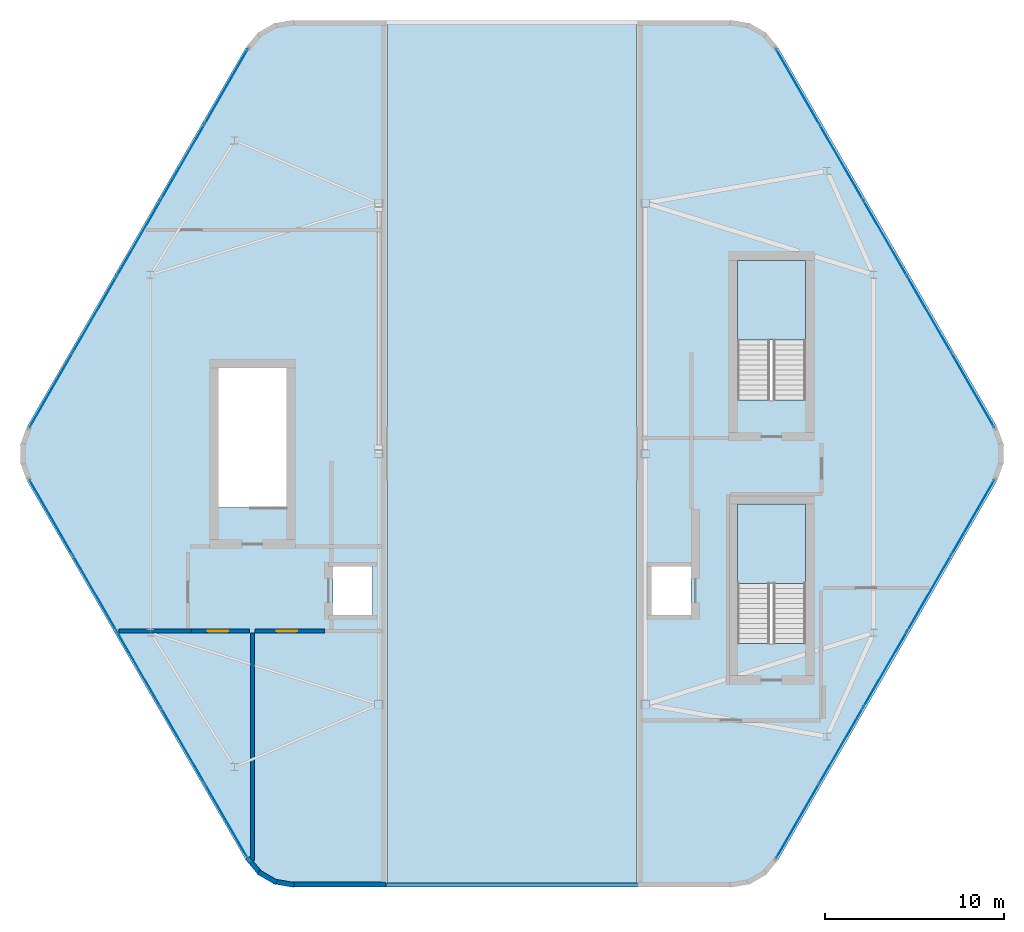
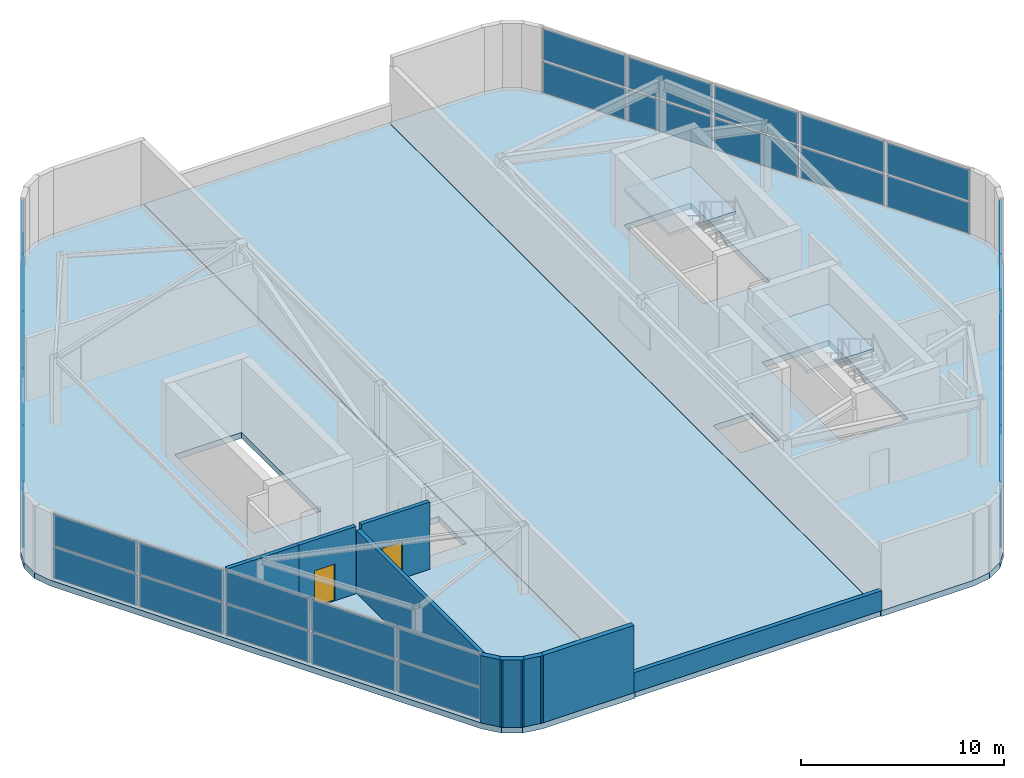
# One storey, part 11 of 14: 40 plates, 9 walls, 5 slabs, 2 doors, 2 openings, 6 elements without a shape of their own.
"""IFC4 building model written with IfcOpenShell, lengths in metres."""

from ifc_helpers import new_model, si_unit, direction, frame, frame_2d, origin, origin_2d, place, context, subcontext, project, spatial, polyline, rectangle, outline, extrude, material, layer, layer_set, type_object, element, fill, aggregate, save


model = new_model("IFC4")

# Units and contexts
model_context = context("Model", 3, precision=1e-05, world=origin(), true_north=direction((0.0, 1.0)))
body_context = subcontext(model_context, "Body", "Model", "MODEL_VIEW")
ifc_project = project(units=[si_unit("LENGTHUNIT", "METRE"), si_unit("AREAUNIT", "SQUARE_METRE"), si_unit("VOLUMEUNIT", "CUBIC_METRE"), si_unit("PLANEANGLEUNIT", "RADIAN"), si_unit("MASSUNIT", "GRAM", prefix="KILO")], contexts=[model_context])

# Site, building, storey
site_placement = place(None, origin())
site = spatial("IfcSite", under=ifc_project, at=site_placement, CompositionType="ELEMENT")
building_placement = place(site_placement, origin())
building = spatial("IfcBuilding", under=site, at=building_placement, Name="Zuhravey Tower", CompositionType="ELEMENT")
storey_placement = place(building_placement, frame((0.0, 0.0, 379.0)))
storey = spatial("IfcBuildingStorey", under=building, at=storey_placement, Name="L96", CompositionType="ELEMENT", Elevation=379.0)

# Slab
ifc_material_1 = material(Name="Concrete C40/50", Category="concrete")
ifc_layer_1 = layer(ifc_material_1, 0.300048828125)
ifc_layer_set_1 = layer_set([ifc_layer_1], Name="Concrete C40/50")
slab_type_1 = type_object("IfcSlabType", Name="Crown Crest Flat Roof Slab 300", PredefinedType="ROOF", material=ifc_layer_set_1)
slab_1_placement = place(storey_placement, frame((0.0, 0.0, -0.300048828125)))
element("IfcSlab", 1, at=slab_1_placement, inside=storey, type_object=slab_type_1, Name="L96 Wind-Portal Arch Bridge Roof Cap RS30", PredefinedType="ROOF", context=body_context, shape_type="SweptSolid", body=[
    extrude(outline(polyline([(42.97998046875, 56.214111328125), (42.97998046875, 7.785888671875), (29.02001953125, 7.785888671875), (29.02001953125, 56.214111328125), (42.97998046875, 56.214111328125)])), origin(), (0.0, 0.0, 1.0), 0.300048828125),
])

# Curtain wall, plates
ifc_material_2 = material(Name="Thermally broken anodised aluminium", Category="aluminium")
curtain_wall_type = type_object("IfcCurtainWallType", Name="Split-Top Crown Screened Curtain Wall CW6", PredefinedType="NOTDEFINED", material=ifc_material_2)
curtain_wall_1_placement = place(storey_placement, origin())
curtain_wall_1 = element("IfcCurtainWall", 2, at=curtain_wall_1_placement, inside=storey, type_object=curtain_wall_type, Name="L96 CW6 CW6-L96-WEST-04", PredefinedType="NOTDEFINED")
ifc_material_3 = material(Name="Bronze-anodised perforated girih aluminium", Category="aluminium")
ifc_layer_2 = layer(ifc_material_3, 0.035888671875)
ifc_layer_set_2 = layer_set([ifc_layer_2], Name="Bronze-anodised perforated girih aluminium")
plate_type = type_object("IfcPlateType", Name="Girih Perforated Crown Panel", PredefinedType="CURTAIN_PANEL", material=ifc_layer_set_2)
plate_1_placement = place(storey_placement, frame((20.04443359375, 11.487548828125, 0.10009765625), z_axis=(0.0, 0.0, 1.0), x_axis=(-0.499997124838, 0.866027063754, 0.0)))
plate_1 = element("IfcPlate", 3, at=plate_1_placement, type_object=plate_type, Name="CW6 panel 1.1", PredefinedType="CURTAIN_PANEL", context=body_context, shape_type="SweptSolid", body=[
    extrude(rectangle(XDim=4.755859375, YDim=0.035888671875, at=origin_2d()), origin(), (0.0, 0.0, 1.0), 1.875),
])
plate_2_placement = place(storey_placement, frame((20.04443359375, 11.487548828125, 2.074951171875), z_axis=(0.0, 0.0, 1.0), x_axis=(-0.499997124838, 0.866027063754, 0.0)))
plate_2 = element("IfcPlate", 4, at=plate_2_placement, type_object=plate_type, Name="CW6 panel 1.2", PredefinedType="CURTAIN_PANEL", context=body_context, shape_type="SweptSolid", body=[
    extrude(rectangle(XDim=4.755859375, YDim=0.035888671875, at=origin_2d()), origin(), (0.0, 0.0, 1.0), 1.875),
])
plate_3_placement = place(storey_placement, frame((17.604248046875, 15.71435546875, 0.10009765625), z_axis=(0.0, 0.0, 1.0), x_axis=(-0.499997124838, 0.866027063754, 0.0)))
plate_3 = element("IfcPlate", 5, at=plate_3_placement, type_object=plate_type, Name="CW6 panel 2.1", PredefinedType="CURTAIN_PANEL", context=body_context, shape_type="SweptSolid", body=[
    extrude(rectangle(XDim=4.805908203125, YDim=0.035888671875, at=origin_2d()), origin(), (0.0, 0.0, 1.0), 1.875),
])
plate_4_placement = place(storey_placement, frame((17.604248046875, 15.71435546875, 2.074951171875), z_axis=(0.0, 0.0, 1.0), x_axis=(-0.499997124838, 0.866027063754, 0.0)))
plate_4 = element("IfcPlate", 6, at=plate_4_placement, type_object=plate_type, Name="CW6 panel 2.2", PredefinedType="CURTAIN_PANEL", context=body_context, shape_type="SweptSolid", body=[
    extrude(rectangle(XDim=4.805908203125, YDim=0.035888671875, at=origin_2d()), origin(), (0.0, 0.0, 1.0), 1.875),
])
plate_5_placement = place(storey_placement, frame((15.1513671875, 19.962890625, 0.10009765625), z_axis=(0.0, 0.0, 1.0), x_axis=(-0.499997124838, 0.866027063754, 0.0)))
plate_5 = element("IfcPlate", 7, at=plate_5_placement, type_object=plate_type, Name="CW6 panel 3.1", PredefinedType="CURTAIN_PANEL", context=body_context, shape_type="SweptSolid", body=[
    extrude(rectangle(XDim=4.805908203125, YDim=0.035888671875, at=origin_2d()), origin(), (0.0, 0.0, 1.0), 1.875),
])
plate_6_placement = place(storey_placement, frame((15.1513671875, 19.962890625, 2.074951171875), z_axis=(0.0, 0.0, 1.0), x_axis=(-0.499997124838, 0.866027063754, 0.0)))
plate_6 = element("IfcPlate", 8, at=plate_6_placement, type_object=plate_type, Name="CW6 panel 3.2", PredefinedType="CURTAIN_PANEL", context=body_context, shape_type="SweptSolid", body=[
    extrude(rectangle(XDim=4.805908203125, YDim=0.035888671875, at=origin_2d()), origin(), (0.0, 0.0, 1.0), 1.875),
])
plate_7_placement = place(storey_placement, frame((12.6982421875, 24.21142578125, 0.10009765625), z_axis=(0.0, 0.0, 1.0), x_axis=(-0.499997124838, 0.866027063754, 0.0)))
plate_7 = element("IfcPlate", 9, at=plate_7_placement, type_object=plate_type, Name="CW6 panel 4.1", PredefinedType="CURTAIN_PANEL", context=body_context, shape_type="SweptSolid", body=[
    extrude(rectangle(XDim=4.805908203125, YDim=0.035888671875, at=origin_2d()), origin(), (0.0, 0.0, 1.0), 1.875),
])
plate_8_placement = place(storey_placement, frame((12.6982421875, 24.21142578125, 2.074951171875), z_axis=(0.0, 0.0, 1.0), x_axis=(-0.499997124838, 0.866027063754, 0.0)))
plate_8 = element("IfcPlate", 10, at=plate_8_placement, type_object=plate_type, Name="CW6 panel 4.2", PredefinedType="CURTAIN_PANEL", context=body_context, shape_type="SweptSolid", body=[
    extrude(rectangle(XDim=4.805908203125, YDim=0.035888671875, at=origin_2d()), origin(), (0.0, 0.0, 1.0), 1.875),
])
plate_9_placement = place(storey_placement, frame((10.258056640625, 28.4384765625, 0.10009765625), z_axis=(0.0, 0.0, 1.0), x_axis=(-0.499997124838, 0.866027063754, 0.0)))
plate_9 = element("IfcPlate", 11, at=plate_9_placement, type_object=plate_type, Name="CW6 panel 5.1", PredefinedType="CURTAIN_PANEL", context=body_context, shape_type="SweptSolid", body=[
    extrude(rectangle(XDim=4.755859375, YDim=0.035888671875, at=origin_2d()), origin(), (0.0, 0.0, 1.0), 1.875),
])
plate_10_placement = place(storey_placement, frame((10.258056640625, 28.4384765625, 2.074951171875), z_axis=(0.0, 0.0, 1.0), x_axis=(-0.499997124838, 0.866027063754, 0.0)))
plate_10 = element("IfcPlate", 12, at=plate_10_placement, type_object=plate_type, Name="CW6 panel 5.2", PredefinedType="CURTAIN_PANEL", context=body_context, shape_type="SweptSolid", body=[
    extrude(rectangle(XDim=4.755859375, YDim=0.035888671875, at=origin_2d()), origin(), (0.0, 0.0, 1.0), 1.875),
])
aggregate(curtain_wall_1, [plate_1, plate_2, plate_3, plate_4, plate_5, plate_6, plate_7, plate_8, plate_9, plate_10])

curtain_wall_2_placement = place(storey_placement, origin())
curtain_wall_2 = element("IfcCurtainWall", 13, at=curtain_wall_2_placement, inside=storey, type_object=curtain_wall_type, Name="L96 CW6 CW6-L96-WEST-08", PredefinedType="NOTDEFINED")
plate_11_placement = place(storey_placement, frame((10.258056640625, 35.5615234375, 0.10009765625), z_axis=(0.0, 0.0, 1.0), x_axis=(0.499997124838, 0.866027063754, 0.0)))
plate_11 = element("IfcPlate", 14, at=plate_11_placement, type_object=plate_type, Name="CW6 panel 1.1", PredefinedType="CURTAIN_PANEL", context=body_context, shape_type="SweptSolid", body=[
    extrude(rectangle(XDim=4.755859375, YDim=0.035888671875, at=origin_2d()), origin(), (0.0, 0.0, 1.0), 1.875),
])
plate_12_placement = place(storey_placement, frame((10.258056640625, 35.5615234375, 2.074951171875), z_axis=(0.0, 0.0, 1.0), x_axis=(0.499997124838, 0.866027063754, 0.0)))
plate_12 = element("IfcPlate", 15, at=plate_12_placement, type_object=plate_type, Name="CW6 panel 1.2", PredefinedType="CURTAIN_PANEL", context=body_context, shape_type="SweptSolid", body=[
    extrude(rectangle(XDim=4.755859375, YDim=0.035888671875, at=origin_2d()), origin(), (0.0, 0.0, 1.0), 1.875),
])
plate_13_placement = place(storey_placement, frame((12.6982421875, 39.78857421875, 0.10009765625), z_axis=(0.0, 0.0, 1.0), x_axis=(0.499997124838, 0.866027063754, 0.0)))
plate_13 = element("IfcPlate", 16, at=plate_13_placement, type_object=plate_type, Name="CW6 panel 2.1", PredefinedType="CURTAIN_PANEL", context=body_context, shape_type="SweptSolid", body=[
    extrude(rectangle(XDim=4.805908203125, YDim=0.035888671875, at=origin_2d()), origin(), (0.0, 0.0, 1.0), 1.875),
])
plate_14_placement = place(storey_placement, frame((12.6982421875, 39.78857421875, 2.074951171875), z_axis=(0.0, 0.0, 1.0), x_axis=(0.499997124838, 0.866027063754, 0.0)))
plate_14 = element("IfcPlate", 17, at=plate_14_placement, type_object=plate_type, Name="CW6 panel 2.2", PredefinedType="CURTAIN_PANEL", context=body_context, shape_type="SweptSolid", body=[
    extrude(rectangle(XDim=4.805908203125, YDim=0.035888671875, at=origin_2d()), origin(), (0.0, 0.0, 1.0), 1.875),
])
plate_15_placement = place(storey_placement, frame((15.1513671875, 44.037109375, 0.10009765625), z_axis=(0.0, 0.0, 1.0), x_axis=(0.499997124838, 0.866027063754, 0.0)))
plate_15 = element("IfcPlate", 18, at=plate_15_placement, type_object=plate_type, Name="CW6 panel 3.1", PredefinedType="CURTAIN_PANEL", context=body_context, shape_type="SweptSolid", body=[
    extrude(rectangle(XDim=4.805908203125, YDim=0.035888671875, at=origin_2d()), origin(), (0.0, 0.0, 1.0), 1.875),
])
plate_16_placement = place(storey_placement, frame((15.1513671875, 44.037109375, 2.074951171875), z_axis=(0.0, 0.0, 1.0), x_axis=(0.499997124838, 0.866027063754, 0.0)))
plate_16 = element("IfcPlate", 19, at=plate_16_placement, type_object=plate_type, Name="CW6 panel 3.2", PredefinedType="CURTAIN_PANEL", context=body_context, shape_type="SweptSolid", body=[
    extrude(rectangle(XDim=4.805908203125, YDim=0.035888671875, at=origin_2d()), origin(), (0.0, 0.0, 1.0), 1.875),
])
plate_17_placement = place(storey_placement, frame((17.604248046875, 48.28564453125, 0.10009765625), z_axis=(0.0, 0.0, 1.0), x_axis=(0.499997124838, 0.866027063754, 0.0)))
plate_17 = element("IfcPlate", 20, at=plate_17_placement, type_object=plate_type, Name="CW6 panel 4.1", PredefinedType="CURTAIN_PANEL", context=body_context, shape_type="SweptSolid", body=[
    extrude(rectangle(XDim=4.805908203125, YDim=0.035888671875, at=origin_2d()), origin(), (0.0, 0.0, 1.0), 1.875),
])
plate_18_placement = place(storey_placement, frame((17.604248046875, 48.28564453125, 2.074951171875), z_axis=(0.0, 0.0, 1.0), x_axis=(0.499997124838, 0.866027063754, 0.0)))
plate_18 = element("IfcPlate", 21, at=plate_18_placement, type_object=plate_type, Name="CW6 panel 4.2", PredefinedType="CURTAIN_PANEL", context=body_context, shape_type="SweptSolid", body=[
    extrude(rectangle(XDim=4.805908203125, YDim=0.035888671875, at=origin_2d()), origin(), (0.0, 0.0, 1.0), 1.875),
])
plate_19_placement = place(storey_placement, frame((20.04443359375, 52.512451171875, 0.10009765625), z_axis=(0.0, 0.0, 1.0), x_axis=(0.499997124838, 0.866027063754, 0.0)))
plate_19 = element("IfcPlate", 22, at=plate_19_placement, type_object=plate_type, Name="CW6 panel 5.1", PredefinedType="CURTAIN_PANEL", context=body_context, shape_type="SweptSolid", body=[
    extrude(rectangle(XDim=4.755859375, YDim=0.035888671875, at=origin_2d()), origin(), (0.0, 0.0, 1.0), 1.875),
])
plate_20_placement = place(storey_placement, frame((20.04443359375, 52.512451171875, 2.074951171875), z_axis=(0.0, 0.0, 1.0), x_axis=(0.499997124838, 0.866027063754, 0.0)))
plate_20 = element("IfcPlate", 23, at=plate_20_placement, type_object=plate_type, Name="CW6 panel 5.2", PredefinedType="CURTAIN_PANEL", context=body_context, shape_type="SweptSolid", body=[
    extrude(rectangle(XDim=4.755859375, YDim=0.035888671875, at=origin_2d()), origin(), (0.0, 0.0, 1.0), 1.875),
])
aggregate(curtain_wall_2, [plate_11, plate_12, plate_13, plate_14, plate_15, plate_16, plate_17, plate_18, plate_19, plate_20])

curtain_wall_3_placement = place(storey_placement, origin())
curtain_wall_3 = element("IfcCurtainWall", 24, at=curtain_wall_3_placement, inside=storey, type_object=curtain_wall_type, Name="L96 CW6 CW6-L96-EAST-04", PredefinedType="NOTDEFINED")
plate_21_placement = place(storey_placement, frame((51.95556640625, 52.512451171875, 0.10009765625), z_axis=(0.0, 0.0, 1.0), x_axis=(0.499997124838, -0.866027063754, 0.0)))
plate_21 = element("IfcPlate", 25, at=plate_21_placement, type_object=plate_type, Name="CW6 panel 1.1", PredefinedType="CURTAIN_PANEL", context=body_context, shape_type="SweptSolid", body=[
    extrude(rectangle(XDim=4.755859375, YDim=0.035888671875, at=origin_2d()), origin(), (0.0, 0.0, 1.0), 1.875),
])
plate_22_placement = place(storey_placement, frame((51.95556640625, 52.512451171875, 2.074951171875), z_axis=(0.0, 0.0, 1.0), x_axis=(0.499997124838, -0.866027063754, 0.0)))
plate_22 = element("IfcPlate", 26, at=plate_22_placement, type_object=plate_type, Name="CW6 panel 1.2", PredefinedType="CURTAIN_PANEL", context=body_context, shape_type="SweptSolid", body=[
    extrude(rectangle(XDim=4.755859375, YDim=0.035888671875, at=origin_2d()), origin(), (0.0, 0.0, 1.0), 1.875),
])
plate_23_placement = place(storey_placement, frame((54.395751953125, 48.28564453125, 0.10009765625), z_axis=(0.0, 0.0, 1.0), x_axis=(0.499997124838, -0.866027063754, 0.0)))
plate_23 = element("IfcPlate", 27, at=plate_23_placement, type_object=plate_type, Name="CW6 panel 2.1", PredefinedType="CURTAIN_PANEL", context=body_context, shape_type="SweptSolid", body=[
    extrude(rectangle(XDim=4.805908203125, YDim=0.035888671875, at=origin_2d()), origin(), (0.0, 0.0, 1.0), 1.875),
])
plate_24_placement = place(storey_placement, frame((54.395751953125, 48.28564453125, 2.074951171875), z_axis=(0.0, 0.0, 1.0), x_axis=(0.499997124838, -0.866027063754, 0.0)))
plate_24 = element("IfcPlate", 28, at=plate_24_placement, type_object=plate_type, Name="CW6 panel 2.2", PredefinedType="CURTAIN_PANEL", context=body_context, shape_type="SweptSolid", body=[
    extrude(rectangle(XDim=4.805908203125, YDim=0.035888671875, at=origin_2d()), origin(), (0.0, 0.0, 1.0), 1.875),
])
plate_25_placement = place(storey_placement, frame((56.8486328125, 44.037109375, 0.10009765625), z_axis=(0.0, 0.0, 1.0), x_axis=(0.499997124838, -0.866027063754, 0.0)))
plate_25 = element("IfcPlate", 29, at=plate_25_placement, type_object=plate_type, Name="CW6 panel 3.1", PredefinedType="CURTAIN_PANEL", context=body_context, shape_type="SweptSolid", body=[
    extrude(rectangle(XDim=4.805908203125, YDim=0.035888671875, at=origin_2d()), origin(), (0.0, 0.0, 1.0), 1.875),
])
plate_26_placement = place(storey_placement, frame((56.8486328125, 44.037109375, 2.074951171875), z_axis=(0.0, 0.0, 1.0), x_axis=(0.499997124838, -0.866027063754, 0.0)))
plate_26 = element("IfcPlate", 30, at=plate_26_placement, type_object=plate_type, Name="CW6 panel 3.2", PredefinedType="CURTAIN_PANEL", context=body_context, shape_type="SweptSolid", body=[
    extrude(rectangle(XDim=4.805908203125, YDim=0.035888671875, at=origin_2d()), origin(), (0.0, 0.0, 1.0), 1.875),
])
plate_27_placement = place(storey_placement, frame((59.3017578125, 39.78857421875, 0.10009765625), z_axis=(0.0, 0.0, 1.0), x_axis=(0.499997124838, -0.866027063754, 0.0)))
plate_27 = element("IfcPlate", 31, at=plate_27_placement, type_object=plate_type, Name="CW6 panel 4.1", PredefinedType="CURTAIN_PANEL", context=body_context, shape_type="SweptSolid", body=[
    extrude(rectangle(XDim=4.805908203125, YDim=0.035888671875, at=origin_2d()), origin(), (0.0, 0.0, 1.0), 1.875),
])
plate_28_placement = place(storey_placement, frame((59.3017578125, 39.78857421875, 2.074951171875), z_axis=(0.0, 0.0, 1.0), x_axis=(0.499997124838, -0.866027063754, 0.0)))
plate_28 = element("IfcPlate", 32, at=plate_28_placement, type_object=plate_type, Name="CW6 panel 4.2", PredefinedType="CURTAIN_PANEL", context=body_context, shape_type="SweptSolid", body=[
    extrude(rectangle(XDim=4.805908203125, YDim=0.035888671875, at=origin_2d()), origin(), (0.0, 0.0, 1.0), 1.875),
])
plate_29_placement = place(storey_placement, frame((61.741943359375, 35.5615234375, 0.10009765625), z_axis=(0.0, 0.0, 1.0), x_axis=(0.499997124838, -0.866027063754, 0.0)))
plate_29 = element("IfcPlate", 33, at=plate_29_placement, type_object=plate_type, Name="CW6 panel 5.1", PredefinedType="CURTAIN_PANEL", context=body_context, shape_type="SweptSolid", body=[
    extrude(rectangle(XDim=4.755859375, YDim=0.035888671875, at=origin_2d()), origin(), (0.0, 0.0, 1.0), 1.875),
])
plate_30_placement = place(storey_placement, frame((61.741943359375, 35.5615234375, 2.074951171875), z_axis=(0.0, 0.0, 1.0), x_axis=(0.499997124838, -0.866027063754, 0.0)))
plate_30 = element("IfcPlate", 34, at=plate_30_placement, type_object=plate_type, Name="CW6 panel 5.2", PredefinedType="CURTAIN_PANEL", context=body_context, shape_type="SweptSolid", body=[
    extrude(rectangle(XDim=4.755859375, YDim=0.035888671875, at=origin_2d()), origin(), (0.0, 0.0, 1.0), 1.875),
])
aggregate(curtain_wall_3, [plate_21, plate_22, plate_23, plate_24, plate_25, plate_26, plate_27, plate_28, plate_29, plate_30])

curtain_wall_4_placement = place(storey_placement, origin())
curtain_wall_4 = element("IfcCurtainWall", 35, at=curtain_wall_4_placement, inside=storey, type_object=curtain_wall_type, Name="L96 CW6 CW6-L96-EAST-08", PredefinedType="NOTDEFINED")
plate_31_placement = place(storey_placement, frame((61.741943359375, 28.4384765625, 0.10009765625), z_axis=(0.0, 0.0, 1.0), x_axis=(-0.499997124838, -0.866027063754, 0.0)))
plate_31 = element("IfcPlate", 36, at=plate_31_placement, type_object=plate_type, Name="CW6 panel 1.1", PredefinedType="CURTAIN_PANEL", context=body_context, shape_type="SweptSolid", body=[
    extrude(rectangle(XDim=4.755859375, YDim=0.035888671875, at=origin_2d()), origin(), (0.0, 0.0, 1.0), 1.875),
])
plate_32_placement = place(storey_placement, frame((61.741943359375, 28.4384765625, 2.074951171875), z_axis=(0.0, 0.0, 1.0), x_axis=(-0.499997124838, -0.866027063754, 0.0)))
plate_32 = element("IfcPlate", 37, at=plate_32_placement, type_object=plate_type, Name="CW6 panel 1.2", PredefinedType="CURTAIN_PANEL", context=body_context, shape_type="SweptSolid", body=[
    extrude(rectangle(XDim=4.755859375, YDim=0.035888671875, at=origin_2d()), origin(), (0.0, 0.0, 1.0), 1.875),
])
plate_33_placement = place(storey_placement, frame((59.3017578125, 24.21142578125, 0.10009765625), z_axis=(0.0, 0.0, 1.0), x_axis=(-0.499997124838, -0.866027063754, 0.0)))
plate_33 = element("IfcPlate", 38, at=plate_33_placement, type_object=plate_type, Name="CW6 panel 2.1", PredefinedType="CURTAIN_PANEL", context=body_context, shape_type="SweptSolid", body=[
    extrude(rectangle(XDim=4.805908203125, YDim=0.035888671875, at=origin_2d()), origin(), (0.0, 0.0, 1.0), 1.875),
])
plate_34_placement = place(storey_placement, frame((59.3017578125, 24.21142578125, 2.074951171875), z_axis=(0.0, 0.0, 1.0), x_axis=(-0.499997124838, -0.866027063754, 0.0)))
plate_34 = element("IfcPlate", 39, at=plate_34_placement, type_object=plate_type, Name="CW6 panel 2.2", PredefinedType="CURTAIN_PANEL", context=body_context, shape_type="SweptSolid", body=[
    extrude(rectangle(XDim=4.805908203125, YDim=0.035888671875, at=origin_2d()), origin(), (0.0, 0.0, 1.0), 1.875),
])
plate_35_placement = place(storey_placement, frame((56.8486328125, 19.962890625, 0.10009765625), z_axis=(0.0, 0.0, 1.0), x_axis=(-0.499997124838, -0.866027063754, 0.0)))
plate_35 = element("IfcPlate", 40, at=plate_35_placement, type_object=plate_type, Name="CW6 panel 3.1", PredefinedType="CURTAIN_PANEL", context=body_context, shape_type="SweptSolid", body=[
    extrude(rectangle(XDim=4.805908203125, YDim=0.035888671875, at=origin_2d()), origin(), (0.0, 0.0, 1.0), 1.875),
])
plate_36_placement = place(storey_placement, frame((56.8486328125, 19.962890625, 2.074951171875), z_axis=(0.0, 0.0, 1.0), x_axis=(-0.499997124838, -0.866027063754, 0.0)))
plate_36 = element("IfcPlate", 41, at=plate_36_placement, type_object=plate_type, Name="CW6 panel 3.2", PredefinedType="CURTAIN_PANEL", context=body_context, shape_type="SweptSolid", body=[
    extrude(rectangle(XDim=4.805908203125, YDim=0.035888671875, at=origin_2d()), origin(), (0.0, 0.0, 1.0), 1.875),
])
plate_37_placement = place(storey_placement, frame((54.395751953125, 15.71435546875, 0.10009765625), z_axis=(0.0, 0.0, 1.0), x_axis=(-0.499997124838, -0.866027063754, 0.0)))
plate_37 = element("IfcPlate", 42, at=plate_37_placement, type_object=plate_type, Name="CW6 panel 4.1", PredefinedType="CURTAIN_PANEL", context=body_context, shape_type="SweptSolid", body=[
    extrude(rectangle(XDim=4.805908203125, YDim=0.035888671875, at=origin_2d()), origin(), (0.0, 0.0, 1.0), 1.875),
])
plate_38_placement = place(storey_placement, frame((54.395751953125, 15.71435546875, 2.074951171875), z_axis=(0.0, 0.0, 1.0), x_axis=(-0.499997124838, -0.866027063754, 0.0)))
plate_38 = element("IfcPlate", 43, at=plate_38_placement, type_object=plate_type, Name="CW6 panel 4.2", PredefinedType="CURTAIN_PANEL", context=body_context, shape_type="SweptSolid", body=[
    extrude(rectangle(XDim=4.805908203125, YDim=0.035888671875, at=origin_2d()), origin(), (0.0, 0.0, 1.0), 1.875),
])
plate_39_placement = place(storey_placement, frame((51.95556640625, 11.487548828125, 0.10009765625), z_axis=(0.0, 0.0, 1.0), x_axis=(-0.499997124838, -0.866027063754, 0.0)))
plate_39 = element("IfcPlate", 44, at=plate_39_placement, type_object=plate_type, Name="CW6 panel 5.1", PredefinedType="CURTAIN_PANEL", context=body_context, shape_type="SweptSolid", body=[
    extrude(rectangle(XDim=4.755859375, YDim=0.035888671875, at=origin_2d()), origin(), (0.0, 0.0, 1.0), 1.875),
])
plate_40_placement = place(storey_placement, frame((51.95556640625, 11.487548828125, 2.074951171875), z_axis=(0.0, 0.0, 1.0), x_axis=(-0.499997124838, -0.866027063754, 0.0)))
plate_40 = element("IfcPlate", 45, at=plate_40_placement, type_object=plate_type, Name="CW6 panel 5.2", PredefinedType="CURTAIN_PANEL", context=body_context, shape_type="SweptSolid", body=[
    extrude(rectangle(XDim=4.755859375, YDim=0.035888671875, at=origin_2d()), origin(), (0.0, 0.0, 1.0), 1.875),
])
aggregate(curtain_wall_4, [plate_31, plate_32, plate_33, plate_34, plate_35, plate_36, plate_37, plate_38, plate_39, plate_40])

# Slabs
ifc_material_4 = material(Name="Concrete C50/60", Category="concrete")
ifc_layer_3 = layer(ifc_material_4, 0.35009765625)
ifc_layer_set_3 = layer_set([ifc_layer_3], Name="Concrete C50/60")
slab_type_2 = type_object("IfcSlabType", Name="Refuge & Plant Heavy Slab 350", PredefinedType="FLOOR", material=ifc_layer_set_3)
slab_2_placement = place(storey_placement, frame((0.0, 0.0, -0.35009765625)))
element("IfcSlab", 46, at=slab_2_placement, inside=storey, type_object=slab_type_2, Name="L96 West Crest Floor Slab PS35", PredefinedType="FLOOR", context=body_context, shape_type="SweptSolid", body=[
    extrude(outline(polyline([(23.72314453125, 7.785888671875), (22.714111328125, 7.9638671875), (21.826904296875, 8.47607421875), (21.16845703125, 9.260986328125), (8.8916015625, 30.52490234375), (8.541259765625, 31.48779296875), (8.541259765625, 32.51220703125), (8.8916015625, 33.47509765625), (21.16845703125, 54.739013671875), (21.826904296875, 55.52392578125), (22.714111328125, 56.0361328125), (23.72314453125, 56.214111328125), (29.0, 56.214111328125), (29.0, 7.785888671875), (23.72314453125, 7.785888671875)]), holes=[polyline([(23.39990234375, 29.000732421875), (23.39990234375, 36.800048828125), (19.60009765625, 36.800048828125), (19.60009765625, 29.000732421875), (23.39990234375, 29.000732421875)]), polyline([(26.0, 23.0), (28.199951171875, 23.0), (28.199951171875, 25.699951171875), (26.0, 25.699951171875), (26.0, 23.0)])]), origin(), (0.0, 0.0, 1.0), 0.35009765625),
])
slab_3_placement = place(storey_placement, frame((0.0, 0.0, -0.35009765625)))
element("IfcSlab", 47, at=slab_3_placement, inside=storey, type_object=slab_type_2, Name="L96 East Crest Floor Slab PS35", PredefinedType="FLOOR", context=body_context, shape_type="SweptSolid", body=[
    extrude(outline(polyline([(48.27685546875, 56.214111328125), (49.285888671875, 56.0361328125), (50.173095703125, 55.52392578125), (50.83154296875, 54.739013671875), (63.1083984375, 33.47509765625), (63.458740234375, 32.51220703125), (63.458740234375, 31.48779296875), (63.1083984375, 30.52490234375), (50.83154296875, 9.260986328125), (50.173095703125, 8.47607421875), (49.285888671875, 7.9638671875), (48.27685546875, 7.785888671875), (43.0, 7.785888671875), (43.0, 56.214111328125), (48.27685546875, 56.214111328125)]), holes=[polyline([(52.39990234375, 21.400634765625), (52.39990234375, 29.199951171875), (48.60009765625, 29.199951171875), (48.60009765625, 21.400634765625), (52.39990234375, 21.400634765625)]), polyline([(52.39990234375, 35.000732421875), (52.39990234375, 42.800048828125), (48.60009765625, 42.800048828125), (48.60009765625, 35.000732421875), (52.39990234375, 35.000732421875)]), polyline([(43.800048828125, 23.0), (46.0, 23.0), (46.0, 25.699951171875), (43.800048828125, 25.699951171875), (43.800048828125, 23.0)])]), origin(), (0.0, 0.0, 1.0), 0.35009765625),
])

# Stair, slab
stair_type = type_object("IfcStairType", Name="Crown Storey Stair Assembly 4400", PredefinedType="HALF_TURN_STAIR", material=ifc_material_1)
stair_1_placement = place(storey_placement, origin())
stair_1 = element("IfcStair", 48, at=stair_1_placement, inside=storey, type_object=stair_type, Name="L96 East Crest South Stair CST2", PredefinedType="HALF_TURN_STAIR")
ifc_layer_4 = layer(ifc_material_1, 0.199951171875)
ifc_layer_set_4 = layer_set([ifc_layer_4], Name="Concrete C40/50")
slab_type_3 = type_object("IfcSlabType", Name="Stair Landing Slab 200", PredefinedType="LANDING", material=ifc_layer_set_4)
slab_4_placement = place(storey_placement, frame((0.0, 0.0, 2.0)))
slab_4 = element("IfcSlab", 49, at=slab_4_placement, type_object=slab_type_3, Name="CST2 landing 1", PredefinedType="LANDING", context=body_context, shape_type="SweptSolid", body=[
    extrude(outline(polyline([(52.39990234375, 24.760009765625), (52.39990234375, 29.199951171875), (48.60009765625, 29.199951171875), (48.60009765625, 24.760009765625), (52.39990234375, 24.760009765625)])), origin(), (0.0, 0.0, 1.0), 0.199951171875),
])
aggregate(stair_1, [slab_4])

stair_2_placement = place(storey_placement, origin())
stair_2 = element("IfcStair", 50, at=stair_2_placement, inside=storey, type_object=stair_type, Name="L96 East Crest North Stair CST3", PredefinedType="HALF_TURN_STAIR")
slab_5_placement = place(storey_placement, frame((0.0, 0.0, 2.0)))
slab_5 = element("IfcSlab", 51, at=slab_5_placement, type_object=slab_type_3, Name="CST3 landing 1", PredefinedType="LANDING", context=body_context, shape_type="SweptSolid", body=[
    extrude(outline(polyline([(52.39990234375, 38.360107421875), (52.39990234375, 42.800048828125), (48.60009765625, 42.800048828125), (48.60009765625, 38.360107421875), (52.39990234375, 38.360107421875)])), origin(), (0.0, 0.0, 1.0), 0.199951171875),
])
aggregate(stair_2, [slab_5])

# Walls
ifc_material_5 = material(Name="Precast concrete C40/50", Category="concrete")
ifc_layer_5 = layer(ifc_material_5, 0.280029296875)
ifc_layer_set_5 = layer_set([ifc_layer_5], Name="Precast concrete C40/50")
wall_type_1 = type_object("IfcWallType", Name="Crown Architectural Wall 280", PredefinedType="SOLIDWALL", material=ifc_layer_set_5)
wall_1_placement = place(storey_placement, frame((23.8291015625, 7.909423828125, 0.0), z_axis=(0.0, 0.0, 1.0), x_axis=(-0.984798162481, 0.173702559495, 0.0)))
element("IfcWall", 52, at=wall_1_placement, inside=storey, type_object=wall_type_1, Name="L96 WEST Crest Wall EW28-01", PredefinedType="SOLIDWALL", context=body_context, shape_type="SweptSolid", body=[
    extrude(rectangle(XDim=1.177734375, YDim=0.280029296875, at=frame_2d((0.5888671875, 0.0))), origin(), (0.0, 0.0, 1.0), 4.050048828125),
])
wall_2_placement = place(storey_placement, frame((22.84521484375, 8.0498046875, 0.0), z_axis=(0.0, 0.0, 1.0), x_axis=(-0.865951785477, 0.500127488975, 0.0)))
element("IfcWall", 53, at=wall_2_placement, inside=storey, type_object=wall_type_1, Name="L96 WEST Crest Wall EW28-02", PredefinedType="SOLIDWALL", context=body_context, shape_type="SweptSolid", body=[
    extrude(rectangle(XDim=1.165283203125, YDim=0.280029296875, at=frame_2d((0.58251953125, 0.0))), origin(), (0.0, 0.0, 1.0), 4.050048828125),
])
wall_3_placement = place(storey_placement, frame((21.9794921875, 8.51220703125, 0.0), z_axis=(0.0, 0.0, 1.0), x_axis=(-0.642851701012, 0.765990659542, 0.0)))
element("IfcWall", 54, at=wall_3_placement, inside=storey, type_object=wall_type_1, Name="L96 WEST Crest Wall EW28-03", PredefinedType="SOLIDWALL", context=body_context, shape_type="SweptSolid", body=[
    extrude(rectangle(XDim=1.177734375, YDim=0.280029296875, at=frame_2d((0.5888671875, 0.0))), origin(), (0.0, 0.0, 1.0), 4.050048828125),
])
wall_4_placement = place(storey_placement, frame((28.955078125, 7.92578125, 0.0), z_axis=(0.0, 0.0, 1.0), x_axis=(-1.0, 0.0, 0.0)))
element("IfcWall", 55, at=wall_4_placement, inside=storey, type_object=wall_type_1, Name="L96 WEST Crest Wall EW28-14", PredefinedType="SOLIDWALL", context=body_context, shape_type="SweptSolid", body=[
    extrude(rectangle(XDim=5.314697265625, YDim=0.280029296875, at=frame_2d((2.6572265625, 0.0))), origin(), (0.0, 0.0, 1.0), 4.050048828125),
])
ifc_layer_6 = layer(ifc_material_5, 0.239990234375)
ifc_layer_set_6 = layer_set([ifc_layer_6], Name="Precast concrete C40/50")
wall_type_2 = type_object("IfcWallType", Name="Roof Parapet Upstand Wall 240", PredefinedType="PARAPET", material=ifc_layer_set_6)
wall_5_placement = place(storey_placement, frame((43.06005859375, 7.906005859375, 0.0), z_axis=(0.0, 0.0, 1.0), x_axis=(-1.0, 0.0, 0.0)))
element("IfcWall", 56, at=wall_5_placement, inside=storey, type_object=wall_type_2, Name="L96 Wind-Portal Bridge Parapet PW24-2", PredefinedType="PARAPET", context=body_context, shape_type="SweptSolid", body=[
    extrude(rectangle(XDim=14.1201171875, YDim=0.239990234375, at=frame_2d((7.06005859375, 0.0))), origin(), (0.0, 0.0, 1.0), 1.199951171875),
])

# Wall, opening, door
ifc_material_6 = material(Name="Gypsum acoustic stud assembly")
ifc_layer_7 = layer(ifc_material_6, 0.219970703125)
ifc_layer_set_7 = layer_set([ifc_layer_7], Name="Gypsum acoustic stud assembly")
wall_type_3 = type_object("IfcWallType", Name="School Acoustic Compartment Wall 220", PredefinedType="PARTITIONING", material=ifc_layer_set_7)
wall_6_placement = place(storey_placement, frame((18.10009765625, 22.10009765625, 0.0), z_axis=(0.0, 0.0, 1.0), x_axis=(1.0, 0.0, 0.0)))
wall_6 = element("IfcWall", 57, at=wall_6_placement, inside=storey, type_object=wall_type_3, Name="L96 IW22 Partition 007", PredefinedType="PARTITIONING", context=body_context, shape_type="SweptSolid", body=[
    extrude(rectangle(XDim=3.25, YDim=0.219970703125, at=frame_2d((1.625, 0.0))), origin(), (0.0, 0.0, 1.0), 4.050048828125),
])
opening_1_placement = place(wall_6_placement, frame((0.89990234375, 0.0, 0.0)))
opening_1 = element("IfcOpeningElement", 58, at=opening_1_placement, cuts=wall_6, Name="Opening CLD1", PredefinedType="OPENING", context=body_context, shape_type="SweptSolid", body=[
    extrude(rectangle(XDim=1.14990234375, YDim=2.199951171875, at=frame_2d((0.574951171875, 1.10009765625))), frame((0.0, 0.1220703125, 0.0), z_axis=(0.0, -1.0, 0.0), x_axis=(1.0, 0.0, 0.0)), (0.0, 0.0, 1.0), 0.243896484375),
])
ifc_material_7 = material(Name="Acoustic timber leaf with vision lite", Category="wood")
door_type = type_object("IfcDoorType", Name="Classroom Acoustic Door 1150x2200", OperationType="NOTDEFINED", PredefinedType="DOOR", material=ifc_material_7)
door_1_placement = place(opening_1_placement, frame((1.14990234375, 0.0, 0.0), z_axis=(0.0, 0.0, 1.0), x_axis=(-1.0, 0.0, 0.0)))
door_1 = element("IfcDoor", 59, at=door_1_placement, inside=storey, type_object=door_type, Name="L96 West Crest Pressurisation Plant Door", OperationType="SINGLE_SWING_RIGHT", OverallHeight=2.199951171875, OverallWidth=1.14990234375, PredefinedType="DOOR", context=body_context, shape_type="SweptSolid", body=[
    extrude(rectangle(XDim=1.14990234375, YDim=2.199951171875, at=frame_2d((0.574951171875, 1.10009765625))), frame((0.0, 0.02490234375, 0.0), z_axis=(0.0, -1.0, 0.0), x_axis=(1.0, 0.0, 0.0)), (0.0, 0.0, 1.0), 0.050048828125),
])
fill(opening_1, door_1)

wall_7_placement = place(storey_placement, frame((21.64990234375, 22.10009765625, 0.0), z_axis=(0.0, 0.0, 1.0), x_axis=(1.0, 0.0, 0.0)))
wall_7 = element("IfcWall", 60, at=wall_7_placement, inside=storey, type_object=wall_type_3, Name="L96 IW22 Partition 008", PredefinedType="PARTITIONING", context=body_context, shape_type="SweptSolid", body=[
    extrude(rectangle(XDim=3.900146484375, YDim=0.219970703125, at=frame_2d((1.9501953125, 0.0))), origin(), (0.0, 0.0, 1.0), 4.050048828125),
])
opening_2_placement = place(wall_7_placement, frame((1.199951171875, 0.0, 0.0)))
opening_2 = element("IfcOpeningElement", 61, at=opening_2_placement, cuts=wall_7, Name="Opening CLD1", PredefinedType="OPENING", context=body_context, shape_type="SweptSolid", body=[
    extrude(rectangle(XDim=1.14990234375, YDim=2.199951171875, at=frame_2d((0.574951171875, 1.10009765625))), frame((0.0, 0.1220703125, 0.0), z_axis=(0.0, -1.0, 0.0), x_axis=(1.0, 0.0, 0.0)), (0.0, 0.0, 1.0), 0.243896484375),
])
door_2_placement = place(opening_2_placement, frame((1.14990234375, 0.0, 0.0), z_axis=(0.0, 0.0, 1.0), x_axis=(-1.0, 0.0, 0.0)))
door_2 = element("IfcDoor", 62, at=door_2_placement, inside=storey, type_object=door_type, Name="L96 Crown BMS Metering Plant Door", OperationType="SINGLE_SWING_LEFT", OverallHeight=2.199951171875, OverallWidth=1.14990234375, PredefinedType="DOOR", context=body_context, shape_type="SweptSolid", body=[
    extrude(rectangle(XDim=1.14990234375, YDim=2.199951171875, at=frame_2d((0.574951171875, 1.10009765625))), frame((0.0, 0.02490234375, 0.0), z_axis=(0.0, -1.0, 0.0), x_axis=(1.0, 0.0, 0.0)), (0.0, 0.0, 1.0), 0.050048828125),
])
fill(opening_2, door_2)

# Walls
wall_8_placement = place(storey_placement, frame((14.055908203125, 22.10009765625, 0.0), z_axis=(0.0, 0.0, 1.0), x_axis=(1.0, 0.0, 0.0)))
element("IfcWall", 63, at=wall_8_placement, inside=storey, type_object=wall_type_3, Name="L96 IW22 Partition 013", PredefinedType="PARTITIONING", context=body_context, shape_type="SweptSolid", body=[
    extrude(rectangle(XDim=4.044189453125, YDim=0.219970703125, at=frame_2d((2.02197265625, 0.0))), origin(), (0.0, 0.0, 1.0), 4.050048828125),
])
wall_9_placement = place(storey_placement, frame((21.5, 9.270263671875, 0.0), z_axis=(0.0, 0.0, 1.0), x_axis=(0.0, 1.0, 0.0)))
element("IfcWall", 64, at=wall_9_placement, inside=storey, type_object=wall_type_3, Name="L96 IW22 Partition 015", PredefinedType="PARTITIONING", context=body_context, shape_type="SweptSolid", body=[
    extrude(rectangle(XDim=12.729736328125, YDim=0.219970703125, at=frame_2d((6.36474609375, 0.0))), origin(), (0.0, 0.0, 1.0), 3.800048828125),
])

save(model, "model.ifc")
